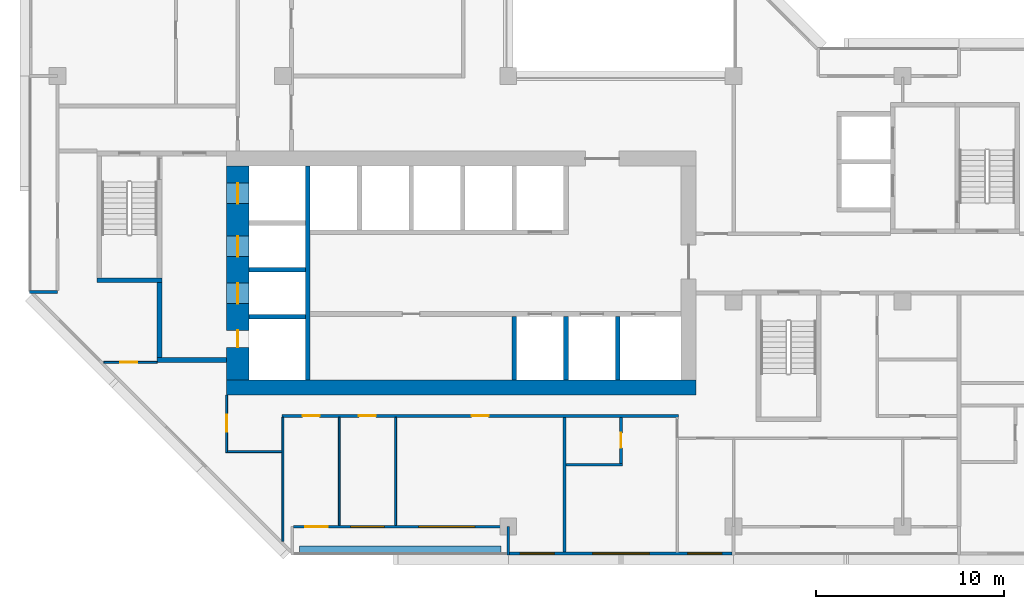
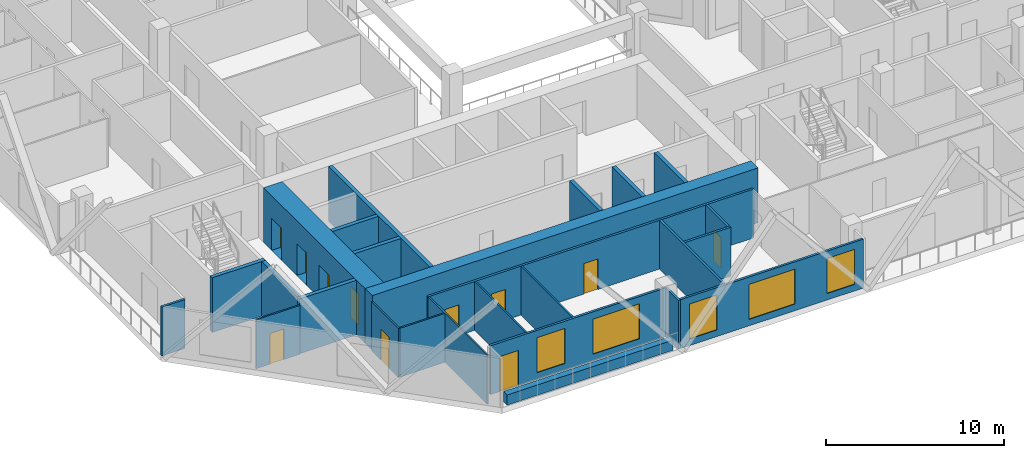
# One storey, part 4 of 14: 26 walls, 11 doors, 5 windows, 16 openings.
"""IFC4 building model written with IfcOpenShell, lengths in metres."""

from ifc_helpers import new_model, si_unit, direction, frame, frame_2d, origin, place, context, subcontext, project, spatial, rectangle, extrude, material, layer, layer_set, type_object, element, fill, save


model = new_model("IFC4")

# Units and contexts
model_context = context("Model", 3, precision=1e-05, world=origin(), true_north=direction((0.0, 1.0)))
body_context = subcontext(model_context, "Body", "Model", "MODEL_VIEW")
ifc_project = project(units=[si_unit("LENGTHUNIT", "METRE"), si_unit("AREAUNIT", "SQUARE_METRE"), si_unit("VOLUMEUNIT", "CUBIC_METRE"), si_unit("PLANEANGLEUNIT", "RADIAN"), si_unit("MASSUNIT", "GRAM", prefix="KILO")], contexts=[model_context])

# Site, building, storey
site_placement = place(None, origin())
site = spatial("IfcSite", under=ifc_project, at=site_placement, CompositionType="ELEMENT")
building_placement = place(site_placement, origin())
building = spatial("IfcBuilding", under=site, at=building_placement, Name="Chenar Terraces", CompositionType="ELEMENT")
storey_placement = place(building_placement, frame((0.0, 0.0, 164.89990234375)))
storey = spatial("IfcBuildingStorey", under=building, at=storey_placement, Name="L37", CompositionType="ELEMENT", Elevation=164.89990234375)

# Wall, openings, doors
ifc_material_1 = material(Name="Concrete C60/75", Category="concrete")
ifc_layer_1 = layer(ifc_material_1, 1.199951171875)
ifc_layer_set_1 = layer_set([ifc_layer_1], Name="Concrete C60/75")
wall_type_1 = type_object("IfcWallType", Name="Core wall 1200 Concrete C60/75", PredefinedType="SHEAR", material=ifc_layer_set_1)
wall_1_placement = place(storey_placement, frame((9.60009765625, 7.800048828125, 0.0), z_axis=(0.0, 0.0, 1.0), x_axis=(0.0, 1.0, 0.0)))
wall_1 = element("IfcWall", 1, at=wall_1_placement, inside=storey, type_object=wall_type_1, Name="Core wall W L37", PredefinedType="SHEAR", context=body_context, shape_type="SweptSolid", body=[
    extrude(rectangle(XDim=11.39990234375, YDim=1.199951171875, at=frame_2d((5.699951171875, 0.0))), origin(), (0.0, 0.0, 1.0), 3.75),
])
opening_1_placement = place(wall_1_placement, frame((4.074951171875, 0.0, 0.0)))
opening_1 = element("IfcOpeningElement", 2, at=opening_1_placement, cuts=wall_1, Name="Opening DL37-LD5", PredefinedType="OPENING", context=body_context, shape_type="SweptSolid", body=[
    extrude(rectangle(XDim=1.10009765625, YDim=2.199951171875, at=frame_2d((0.550048828125, 1.10009765625))), frame((0.0, 0.60986328125, 0.0), z_axis=(0.0, -1.0, 0.0), x_axis=(1.0, 0.0, 0.0)), (0.0, 0.0, 1.0), 1.219970703125),
])
opening_2_placement = place(wall_1_placement, frame((6.574951171875, 0.0, 0.0)))
opening_2 = element("IfcOpeningElement", 3, at=opening_2_placement, cuts=wall_1, Name="Opening DL37-LD6", PredefinedType="OPENING", context=body_context, shape_type="SweptSolid", body=[
    extrude(rectangle(XDim=1.10009765625, YDim=2.199951171875, at=frame_2d((0.550048828125, 1.10009765625))), frame((0.0, 0.60986328125, 0.0), z_axis=(0.0, -1.0, 0.0), x_axis=(1.0, 0.0, 0.0)), (0.0, 0.0, 1.0), 1.219970703125),
])
opening_3_placement = place(wall_1_placement, frame((9.39990234375, 0.0, 0.0)))
opening_3 = element("IfcOpeningElement", 4, at=opening_3_placement, cuts=wall_1, Name="Opening DL37-LD7", PredefinedType="OPENING", context=body_context, shape_type="SweptSolid", body=[
    extrude(rectangle(XDim=1.10009765625, YDim=2.199951171875, at=frame_2d((0.550048828125, 1.10009765625))), frame((0.0, 0.60986328125, 0.0), z_axis=(0.0, -1.0, 0.0), x_axis=(1.0, 0.0, 0.0)), (0.0, 0.0, 1.0), 1.219970703125),
])
opening_4_placement = place(wall_1_placement, frame((1.75, 0.0, 0.0)))
opening_4 = element("IfcOpeningElement", 5, at=opening_4_placement, cuts=wall_1, Name="Opening DL37-C4", PredefinedType="OPENING", context=body_context, shape_type="SweptSolid", body=[
    extrude(rectangle(XDim=0.89990234375, YDim=2.10009765625, at=frame_2d((0.449951171875, 1.050048828125))), frame((0.0, 0.60986328125, 0.0), z_axis=(0.0, -1.0, 0.0), x_axis=(1.0, 0.0, 0.0)), (0.0, 0.0, 1.0), 1.219970703125),
])
ifc_material_2 = material(Name="Stainless steel", Category="steel")
door_type_1 = type_object("IfcDoorType", Name="Lift landing door 1100 x 2200 sliding", OperationType="DOUBLE_DOOR_SLIDING", PredefinedType="DOOR", material=ifc_material_2)
door_1_placement = place(opening_1_placement, origin())
door_1 = element("IfcDoor", 6, at=door_1_placement, inside=storey, type_object=door_type_1, Name="Landing door S1", OperationType="DOUBLE_DOOR_SLIDING", OverallHeight=2.199951171875, OverallWidth=1.10009765625, PredefinedType="DOOR", context=body_context, shape_type="SweptSolid", body=[
    extrude(rectangle(XDim=1.10009765625, YDim=2.199951171875, at=frame_2d((0.550048828125, 1.10009765625))), frame((0.0, 0.02490234375, 0.0), z_axis=(0.0, -1.0, 0.0), x_axis=(1.0, 0.0, 0.0)), (0.0, 0.0, 1.0), 0.050048828125),
])
fill(opening_1, door_1)
door_2_placement = place(opening_2_placement, origin())
door_2 = element("IfcDoor", 7, at=door_2_placement, inside=storey, type_object=door_type_1, Name="Landing door F1", OperationType="DOUBLE_DOOR_SLIDING", OverallHeight=2.199951171875, OverallWidth=1.10009765625, PredefinedType="DOOR", context=body_context, shape_type="SweptSolid", body=[
    extrude(rectangle(XDim=1.10009765625, YDim=2.199951171875, at=frame_2d((0.550048828125, 1.10009765625))), frame((0.0, 0.02490234375, 0.0), z_axis=(0.0, -1.0, 0.0), x_axis=(1.0, 0.0, 0.0)), (0.0, 0.0, 1.0), 0.050048828125),
])
fill(opening_2, door_2)
door_3_placement = place(opening_3_placement, origin())
door_3 = element("IfcDoor", 8, at=door_3_placement, inside=storey, type_object=door_type_1, Name="Landing door F2", OperationType="DOUBLE_DOOR_SLIDING", OverallHeight=2.199951171875, OverallWidth=1.10009765625, PredefinedType="DOOR", context=body_context, shape_type="SweptSolid", body=[
    extrude(rectangle(XDim=1.10009765625, YDim=2.199951171875, at=frame_2d((0.550048828125, 1.10009765625))), frame((0.0, 0.02490234375, 0.0), z_axis=(0.0, -1.0, 0.0), x_axis=(1.0, 0.0, 0.0)), (0.0, 0.0, 1.0), 0.050048828125),
])
fill(opening_3, door_3)
ifc_material_3 = material(Name="Steel-framed fire-resisting door leaf", Category="steel")
door_type_2 = type_object("IfcDoorType", Name="Riser fire door FD60 900 x 2100", OperationType="SINGLE_SWING_LEFT", PredefinedType="DOOR", material=ifc_material_3)
door_4_placement = place(opening_4_placement, frame((0.89990234375, 0.0, 0.0), z_axis=(0.0, 0.0, 1.0), x_axis=(-1.0, 0.0, 0.0)))
door_4 = element("IfcDoor", 9, at=door_4_placement, inside=storey, type_object=door_type_2, Name="Riser door DL37-C4", OperationType="SINGLE_SWING_LEFT", OverallHeight=2.10009765625, OverallWidth=0.89990234375, PredefinedType="DOOR", context=body_context, shape_type="SweptSolid", body=[
    extrude(rectangle(XDim=0.89990234375, YDim=2.10009765625, at=frame_2d((0.449951171875, 1.050048828125))), frame((0.0, 0.02490234375, 0.0), z_axis=(0.0, -1.0, 0.0), x_axis=(1.0, 0.0, 0.0)), (0.0, 0.0, 1.0), 0.050048828125),
])
fill(opening_4, door_4)

# Walls
ifc_material_4 = material(Name="Concrete C60/75", Category="concrete")
ifc_layer_2 = layer(ifc_material_4, 0.25)
ifc_layer_set_2 = layer_set([ifc_layer_2], Name="Concrete C60/75")
wall_type_2 = type_object("IfcWallType", Name="Core wall 250 Concrete C60/75", PredefinedType="SHEAR", material=ifc_layer_set_2)
wall_2_placement = place(storey_placement, frame((13.324951171875, 7.800048828125, 0.0), z_axis=(0.0, 0.0, 1.0), x_axis=(0.0, 1.0, 0.0)))
element("IfcWall", 10, at=wall_2_placement, inside=storey, type_object=wall_type_2, Name="Core wall WI L37", PredefinedType="SHEAR", context=body_context, shape_type="SweptSolid", body=[
    extrude(rectangle(XDim=11.39990234375, YDim=0.25, at=frame_2d((5.699951171875, 0.0))), origin(), (0.0, 0.0, 1.0), 3.75),
])
for number, where, z_axis, x_axis, name in (
    (11, (10.199951171875, 11.175048828125, 0.0), (0.0, 0.0, 1.0), (1.0, 0.0, 0.0), "Core wall HW0 L37"),
    (12, (10.199951171875, 13.675048828125, 0.0), (0.0, 0.0, 1.0), (1.0, 0.0, 0.0), "Core wall HW1 L37"),
):
    element("IfcWall", number, at=place(storey_placement, frame(where, z_axis=z_axis, x_axis=x_axis)), inside=storey, type_object=wall_type_2, Name=name, PredefinedType="SHEAR", context=body_context, shape_type="SweptSolid", body=[
        extrude(rectangle(XDim=3.0, YDim=0.25, at=frame_2d((1.5, 0.0))), origin(), (0.0, 0.0, 1.0), 3.75),
    ])
for number, where, z_axis, x_axis, name in (
    (13, (24.324951171875, 7.800048828125, 0.0), (0.0, 0.0, 1.0), (0.0, 1.0, 0.0), "Core wall SS3 L37"),
    (14, (27.074951171875, 7.800048828125, 0.0), (0.0, 0.0, 1.0), (0.0, 1.0, 0.0), "Core wall SS4 L37"),
    (15, (29.824951171875, 7.800048828125, 0.0), (0.0, 0.0, 1.0), (0.0, 1.0, 0.0), "Core wall SS5 L37"),
):
    element("IfcWall", number, at=place(storey_placement, frame(where, z_axis=z_axis, x_axis=x_axis)), inside=storey, type_object=wall_type_2, Name=name, PredefinedType="SHEAR", context=body_context, shape_type="SweptSolid", body=[
        extrude(rectangle(XDim=3.39990234375, YDim=0.25, at=frame_2d((1.699951171875, 0.0))), origin(), (0.0, 0.0, 1.0), 3.75),
    ])
wall_3_placement = place(storey_placement, frame((2.10009765625, 13.125, 0.0), z_axis=(0.0, 0.0, 1.0), x_axis=(1.0, 0.0, 0.0)))
element("IfcWall", 16, at=wall_3_placement, inside=storey, type_object=wall_type_2, Name="Core wall ST1_S L37", PredefinedType="SHEAR", context=body_context, shape_type="SweptSolid", body=[
    extrude(rectangle(XDim=3.449951171875, YDim=0.25, at=frame_2d((1.72509765625, 0.0))), origin(), (0.0, 0.0, 1.0), 3.75),
])
wall_4_placement = place(storey_placement, frame((5.300048828125, 8.875, 0.0), z_axis=(0.0, 0.0, 1.0), x_axis=(1.0, 0.0, 0.0)))
element("IfcWall", 17, at=wall_4_placement, inside=storey, type_object=wall_type_2, Name="Core wall FFL_S L37", PredefinedType="SHEAR", context=body_context, shape_type="SweptSolid", body=[
    extrude(rectangle(XDim=3.699951171875, YDim=0.25, at=frame_2d((1.85009765625, 0.0))), origin(), (0.0, 0.0, 1.0), 3.75),
])
wall_5_placement = place(storey_placement, frame((5.425048828125, 9.0, 0.0), z_axis=(0.0, 0.0, 1.0), x_axis=(0.0, 1.0, 0.0)))
element("IfcWall", 18, at=wall_5_placement, inside=storey, type_object=wall_type_2, Name="Core wall FFL_W L37", PredefinedType="SHEAR", context=body_context, shape_type="SweptSolid", body=[
    extrude(rectangle(XDim=4.0, YDim=0.25, at=frame_2d((2.0, 0.0))), origin(), (0.0, 0.0, 1.0), 3.75),
])
ifc_material_5 = material(Name="Concrete C60/75", Category="concrete")
ifc_layer_3 = layer(ifc_material_5, 0.800048828125)
ifc_layer_set_3 = layer_set([ifc_layer_3], Name="Concrete C60/75")
wall_type_3 = type_object("IfcWallType", Name="Core wall 800 Concrete C60/75", PredefinedType="SHEAR", material=ifc_layer_set_3)
wall_6_placement = place(storey_placement, frame((9.0, 7.39990234375, 0.0), z_axis=(0.0, 0.0, 1.0), x_axis=(1.0, 0.0, 0.0)))
element("IfcWall", 19, at=wall_6_placement, inside=storey, type_object=wall_type_3, Name="Core wall S L37", PredefinedType="SHEAR", context=body_context, shape_type="SweptSolid", body=[
    extrude(rectangle(XDim=25.0, YDim=0.800048828125, at=frame_2d((12.5, 0.0))), origin(), (0.0, 0.0, 1.0), 3.75),
])

# Wall, openings, windows
ifc_material_6 = material(Name="Aluminium framed glazing", Category="aluminium")
ifc_layer_4 = layer(ifc_material_6, 0.14990234375)
ifc_layer_set_4 = layer_set([ifc_layer_4], Name="Aluminium framed glazing")
wall_type_4 = type_object("IfcWallType", Name="Glazed flush facade wall 150", PredefinedType="SOLIDWALL", material=ifc_layer_set_4)
wall_7_placement = place(storey_placement, frame((24.074951171875, -1.425048828125, 0.0), z_axis=(0.0, 0.0, 1.0), x_axis=(1.0, 0.0, 0.0)))
wall_7 = element("IfcWall", 20, at=wall_7_placement, inside=storey, type_object=wall_type_4, Name="Glazed flush facade wall", PredefinedType="SOLIDWALL", context=body_context, shape_type="SweptSolid", body=[
    extrude(rectangle(XDim=11.85009765625, YDim=0.14990234375, at=frame_2d((5.925048828125, 0.0))), origin(), (0.0, 0.0, 1.0), 3.35009765625),
])
opening_5_placement = place(wall_7_placement, frame((0.5625, 0.0, 0.449951171875)))
opening_5 = element("IfcOpeningElement", 21, at=opening_5_placement, cuts=wall_7, Name="Opening W180x240", PredefinedType="OPENING", context=body_context, shape_type="SweptSolid", body=[
    extrude(rectangle(XDim=1.800048828125, YDim=2.39990234375, at=frame_2d((0.89990234375, 1.199951171875))), frame((0.0, 0.0849609375, 0.0), z_axis=(0.0, -1.0, 0.0), x_axis=(1.0, 0.0, 0.0)), (0.0, 0.0, 1.0), 0.169921875),
])
opening_6_placement = place(wall_7_placement, frame((4.425048828125, 0.0, 0.449951171875)))
opening_6 = element("IfcOpeningElement", 22, at=opening_6_placement, cuts=wall_7, Name="Opening W300x240", PredefinedType="OPENING", context=body_context, shape_type="SweptSolid", body=[
    extrude(rectangle(XDim=3.0, YDim=2.39990234375, at=frame_2d((1.5, 1.199951171875))), frame((0.0, 0.0849609375, 0.0), z_axis=(0.0, -1.0, 0.0), x_axis=(1.0, 0.0, 0.0)), (0.0, 0.0, 1.0), 0.169921875),
])
opening_7_placement = place(wall_7_placement, frame((9.487548828125, 0.0, 0.449951171875)))
opening_7 = element("IfcOpeningElement", 23, at=opening_7_placement, cuts=wall_7, Name="Opening W180x240", PredefinedType="OPENING", context=body_context, shape_type="SweptSolid", body=[
    extrude(rectangle(XDim=1.800048828125, YDim=2.39990234375, at=frame_2d((0.89990234375, 1.199951171875))), frame((0.0, 0.0849609375, 0.0), z_axis=(0.0, -1.0, 0.0), x_axis=(1.0, 0.0, 0.0)), (0.0, 0.0, 1.0), 0.169921875),
])
ifc_material_7 = material(Name="Low emissivity double glazing, aluminium frame", Category="aluminium")
window_type_1 = type_object("IfcWindowType", Name="Fixed light 1800 x 2400", PartitioningType="SINGLE_PANEL", PredefinedType="WINDOW", material=ifc_material_7)
window_1_placement = place(opening_5_placement, origin())
window_1 = element("IfcWindow", 24, at=window_1_placement, inside=storey, type_object=window_type_1, Name="Window", OverallHeight=2.39990234375, OverallWidth=1.800048828125, PartitioningType="SINGLE_PANEL", PredefinedType="WINDOW", context=body_context, shape_type="SweptSolid", body=[
    extrude(rectangle(XDim=1.800048828125, YDim=2.39990234375, at=frame_2d((0.89990234375, 1.199951171875))), frame((0.0, 0.030029296875, 0.0), z_axis=(0.0, -1.0, 0.0), x_axis=(1.0, 0.0, 0.0)), (0.0, 0.0, 1.0), 0.06005859375),
])
fill(opening_5, window_1)
window_2_placement = place(opening_7_placement, origin())
window_2 = element("IfcWindow", 25, at=window_2_placement, inside=storey, type_object=window_type_1, Name="Window", OverallHeight=2.39990234375, OverallWidth=1.800048828125, PartitioningType="SINGLE_PANEL", PredefinedType="WINDOW", context=body_context, shape_type="SweptSolid", body=[
    extrude(rectangle(XDim=1.800048828125, YDim=2.39990234375, at=frame_2d((0.89990234375, 1.199951171875))), frame((0.0, 0.030029296875, 0.0), z_axis=(0.0, -1.0, 0.0), x_axis=(1.0, 0.0, 0.0)), (0.0, 0.0, 1.0), 0.06005859375),
])
fill(opening_7, window_2)
ifc_material_8 = material(Name="Low emissivity double glazing, aluminium frame", Category="aluminium")
window_type_2 = type_object("IfcWindowType", Name="Fixed light 3000 x 2400", PartitioningType="SINGLE_PANEL", PredefinedType="WINDOW", material=ifc_material_8)
window_3_placement = place(opening_6_placement, origin())
window_3 = element("IfcWindow", 26, at=window_3_placement, inside=storey, type_object=window_type_2, Name="Window", OverallHeight=2.39990234375, OverallWidth=3.0, PartitioningType="SINGLE_PANEL", PredefinedType="WINDOW", context=body_context, shape_type="SweptSolid", body=[
    extrude(rectangle(XDim=3.0, YDim=2.39990234375, at=frame_2d((1.5, 1.199951171875))), frame((0.0, 0.030029296875, 0.0), z_axis=(0.0, -1.0, 0.0), x_axis=(1.0, 0.0, 0.0)), (0.0, 0.0, 1.0), 0.06005859375),
])
fill(opening_6, window_3)

# Wall, openings, windows, door
ifc_material_9 = material(Name="Aluminium framed glazing", Category="aluminium")
ifc_layer_5 = layer(ifc_material_9, 0.14990234375)
ifc_layer_set_5 = layer_set([ifc_layer_5], Name="Aluminium framed glazing")
wall_type_5 = type_object("IfcWallType", Name="Glazed loggia back wall 150", PredefinedType="SOLIDWALL", material=ifc_layer_set_5)
wall_8_placement = place(storey_placement, frame((12.574951171875, 0.0, 0.0), z_axis=(0.0, 0.0, 1.0), x_axis=(1.0, 0.0, 0.0)))
wall_8 = element("IfcWall", 27, at=wall_8_placement, inside=storey, type_object=wall_type_5, Name="Glazed loggia back wall", PredefinedType="SOLIDWALL", context=body_context, shape_type="SweptSolid", body=[
    extrude(rectangle(XDim=11.35009765625, YDim=0.14990234375, at=frame_2d((5.675048828125, 0.0))), origin(), (0.0, 0.0, 1.0), 3.35009765625),
])
opening_8_placement = place(wall_8_placement, frame((0.612548828125, 0.0, 0.0)))
opening_8 = element("IfcOpeningElement", 28, at=opening_8_placement, cuts=wall_8, Name="Opening DL37-G5", PredefinedType="OPENING", context=body_context, shape_type="SweptSolid", body=[
    extrude(rectangle(XDim=1.199951171875, YDim=2.39990234375, at=frame_2d((0.60009765625, 1.199951171875))), frame((0.0, 0.0849609375, 0.0), z_axis=(0.0, -1.0, 0.0), x_axis=(1.0, 0.0, 0.0)), (0.0, 0.0, 1.0), 0.169921875),
])
opening_9_placement = place(wall_8_placement, frame((3.02490234375, 0.0, 0.449951171875)))
opening_9 = element("IfcOpeningElement", 29, at=opening_9_placement, cuts=wall_8, Name="Opening W180x240", PredefinedType="OPENING", context=body_context, shape_type="SweptSolid", body=[
    extrude(rectangle(XDim=1.800048828125, YDim=2.39990234375, at=frame_2d((0.89990234375, 1.199951171875))), frame((0.0, 0.0849609375, 0.0), z_axis=(0.0, -1.0, 0.0), x_axis=(1.0, 0.0, 0.0)), (0.0, 0.0, 1.0), 0.169921875),
])
opening_10_placement = place(wall_8_placement, frame((6.64990234375, 0.0, 0.449951171875)))
opening_10 = element("IfcOpeningElement", 30, at=opening_10_placement, cuts=wall_8, Name="Opening W300x240", PredefinedType="OPENING", context=body_context, shape_type="SweptSolid", body=[
    extrude(rectangle(XDim=3.0, YDim=2.39990234375, at=frame_2d((1.5, 1.199951171875))), frame((0.0, 0.0849609375, 0.0), z_axis=(0.0, -1.0, 0.0), x_axis=(1.0, 0.0, 0.0)), (0.0, 0.0, 1.0), 0.169921875),
])
window_4_placement = place(opening_9_placement, origin())
window_4 = element("IfcWindow", 31, at=window_4_placement, inside=storey, type_object=window_type_1, Name="Window", OverallHeight=2.39990234375, OverallWidth=1.800048828125, PartitioningType="SINGLE_PANEL", PredefinedType="WINDOW", context=body_context, shape_type="SweptSolid", body=[
    extrude(rectangle(XDim=1.800048828125, YDim=2.39990234375, at=frame_2d((0.89990234375, 1.199951171875))), frame((0.0, 0.030029296875, 0.0), z_axis=(0.0, -1.0, 0.0), x_axis=(1.0, 0.0, 0.0)), (0.0, 0.0, 1.0), 0.06005859375),
])
fill(opening_9, window_4)
window_5_placement = place(opening_10_placement, origin())
window_5 = element("IfcWindow", 32, at=window_5_placement, inside=storey, type_object=window_type_2, Name="Window", OverallHeight=2.39990234375, OverallWidth=3.0, PartitioningType="SINGLE_PANEL", PredefinedType="WINDOW", context=body_context, shape_type="SweptSolid", body=[
    extrude(rectangle(XDim=3.0, YDim=2.39990234375, at=frame_2d((1.5, 1.199951171875))), frame((0.0, 0.030029296875, 0.0), z_axis=(0.0, -1.0, 0.0), x_axis=(1.0, 0.0, 0.0)), (0.0, 0.0, 1.0), 0.06005859375),
])
fill(opening_10, window_5)
ifc_material_10 = material(Name="Low emissivity double glazing, aluminium frame", Category="aluminium")
door_type_3 = type_object("IfcDoorType", Name="Loggia glazed double door 1200 x 2400", OperationType="DOUBLE_DOOR_SINGLE_SWING", PredefinedType="DOOR", material=ifc_material_10)
door_5_placement = place(opening_8_placement, frame((1.199951171875, 0.0, 0.0), z_axis=(0.0, 0.0, 1.0), x_axis=(-1.0, 0.0, 0.0)))
door_5 = element("IfcDoor", 33, at=door_5_placement, inside=storey, type_object=door_type_3, Name="Loggia glazed door", OperationType="DOUBLE_DOOR_SINGLE_SWING", OverallHeight=2.39990234375, OverallWidth=1.199951171875, PredefinedType="DOOR", context=body_context, shape_type="SweptSolid", body=[
    extrude(rectangle(XDim=1.199951171875, YDim=2.39990234375, at=frame_2d((0.60009765625, 1.199951171875))), frame((0.0, 0.02490234375, 0.0), z_axis=(0.0, -1.0, 0.0), x_axis=(1.0, 0.0, 0.0)), (0.0, 0.0, 1.0), 0.050048828125),
])
fill(opening_8, door_5)

# Wall, opening, door
ifc_material_11 = material(Name="Gypsum board on steel studs", Category="steel")
ifc_layer_6 = layer(ifc_material_11, 0.10009765625)
ifc_layer_set_6 = layer_set([ifc_layer_6], Name="Gypsum board on steel studs")
wall_type_6 = type_object("IfcWallType", Name="Gypsum partition 100", PredefinedType="PARTITIONING", material=ifc_layer_set_6)
wall_9_placement = place(storey_placement, frame((2.4609375, 8.75, 0.0), z_axis=(0.0, 0.0, 1.0), x_axis=(1.0, 0.0, 0.0)))
wall_9 = element("IfcWall", 34, at=wall_9_placement, inside=storey, type_object=wall_type_6, Name="Partition L37-012", PredefinedType="PARTITIONING", context=body_context, shape_type="SweptSolid", body=[
    extrude(rectangle(XDim=2.839111328125, YDim=0.10009765625, at=frame_2d((1.41943359375, 0.0))), origin(), (0.0, 0.0, 1.0), 3.35009765625),
])
opening_11_placement = place(wall_9_placement, frame((0.888916015625, 0.0, 0.0)))
opening_11 = element("IfcOpeningElement", 35, at=opening_11_placement, cuts=wall_9, Name="Opening DL37-51", PredefinedType="OPENING", context=body_context, shape_type="SweptSolid", body=[
    extrude(rectangle(XDim=0.89990234375, YDim=2.10009765625, at=frame_2d((0.449951171875, 1.050048828125))), frame((0.0, 0.06005859375, 0.0), z_axis=(0.0, -1.0, 0.0), x_axis=(1.0, 0.0, 0.0)), (0.0, 0.0, 1.0), 0.1201171875),
])
ifc_material_12 = material(Name="Veneered timber door leaf", Category="wood")
door_type_4 = type_object("IfcDoorType", Name="Door 900 x 2100", OperationType="SINGLE_SWING_LEFT", PredefinedType="DOOR", material=ifc_material_12)
door_6_placement = place(opening_11_placement, frame((0.89990234375, 0.0, 0.0), z_axis=(0.0, 0.0, 1.0), x_axis=(-1.0, 0.0, 0.0)))
door_6 = element("IfcDoor", 36, at=door_6_placement, inside=storey, type_object=door_type_4, Name="Door DL37-51", OperationType="SINGLE_SWING_RIGHT", OverallHeight=2.10009765625, OverallWidth=0.89990234375, PredefinedType="DOOR", context=body_context, shape_type="SweptSolid", body=[
    extrude(rectangle(XDim=0.89990234375, YDim=2.10009765625, at=frame_2d((0.449951171875, 1.050048828125))), frame((0.0, 0.02490234375, 0.0), z_axis=(0.0, -1.0, 0.0), x_axis=(1.0, 0.0, 0.0)), (0.0, 0.0, 1.0), 0.050048828125),
])
fill(opening_11, door_6)

wall_10_placement = place(storey_placement, frame((9.0, 3.949951171875, 0.0), z_axis=(0.0, 0.0, 1.0), x_axis=(0.0, 1.0, 0.0)))
wall_10 = element("IfcWall", 37, at=wall_10_placement, inside=storey, type_object=wall_type_6, Name="Partition L37-026", PredefinedType="PARTITIONING", context=body_context, shape_type="SweptSolid", body=[
    extrude(rectangle(XDim=3.050048828125, YDim=0.10009765625, at=frame_2d((1.52490234375, 0.0))), origin(), (0.0, 0.0, 1.0), 3.35009765625),
])
opening_12_placement = place(wall_10_placement, frame((1.10009765625, 0.0, 0.0)))
opening_12 = element("IfcOpeningElement", 38, at=opening_12_placement, cuts=wall_10, Name="Opening DL37-50", PredefinedType="OPENING", context=body_context, shape_type="SweptSolid", body=[
    extrude(rectangle(XDim=0.89990234375, YDim=2.10009765625, at=frame_2d((0.449951171875, 1.050048828125))), frame((0.0, 0.06005859375, 0.0), z_axis=(0.0, -1.0, 0.0), x_axis=(1.0, 0.0, 0.0)), (0.0, 0.0, 1.0), 0.1201171875),
])
door_7_placement = place(opening_12_placement, origin())
door_7 = element("IfcDoor", 39, at=door_7_placement, inside=storey, type_object=door_type_4, Name="Door DL37-50", OperationType="SINGLE_SWING_LEFT", OverallHeight=2.10009765625, OverallWidth=0.89990234375, PredefinedType="DOOR", context=body_context, shape_type="SweptSolid", body=[
    extrude(rectangle(XDim=0.89990234375, YDim=2.10009765625, at=frame_2d((0.449951171875, 1.050048828125))), frame((0.0, 0.02490234375, 0.0), z_axis=(0.0, -1.0, 0.0), x_axis=(1.0, 0.0, 0.0)), (0.0, 0.0, 1.0), 0.050048828125),
])
fill(opening_12, door_7)

# Walls
wall_11_placement = place(storey_placement, frame((9.050048828125, 4.0, 0.0), z_axis=(0.0, 0.0, 1.0), x_axis=(1.0, 0.0, 0.0)))
element("IfcWall", 40, at=wall_11_placement, inside=storey, type_object=wall_type_6, Name="Partition L37-027", PredefinedType="PARTITIONING", context=body_context, shape_type="SweptSolid", body=[
    extrude(rectangle(XDim=2.89990234375, YDim=0.10009765625, at=frame_2d((1.449951171875, 0.0))), origin(), (0.0, 0.0, 1.0), 3.35009765625),
])
wall_12_placement = place(storey_placement, frame((12.0, -0.787841796875, 0.0), z_axis=(0.0, 0.0, 1.0), x_axis=(0.0, 1.0, 0.0)))
element("IfcWall", 41, at=wall_12_placement, inside=storey, type_object=wall_type_6, Name="Partition L37-030", PredefinedType="PARTITIONING", context=body_context, shape_type="SweptSolid", body=[
    extrude(rectangle(XDim=6.61279296875, YDim=0.10009765625, at=frame_2d((3.306396484375, 0.0))), origin(), (0.0, 0.0, 1.0), 3.35009765625),
])
for number, where, z_axis, x_axis, name in (
    (42, (15.0, 0.073974609375, 0.0), (0.0, 0.0, 1.0), (0.0, 1.0, 0.0), "Partition L37-041"),
    (43, (18.0, 0.073974609375, 0.0), (0.0, 0.0, 1.0), (0.0, 1.0, 0.0), "Partition L37-046"),
):
    element("IfcWall", number, at=place(storey_placement, frame(where, z_axis=z_axis, x_axis=x_axis)), inside=storey, type_object=wall_type_6, Name=name, PredefinedType="PARTITIONING", context=body_context, shape_type="SweptSolid", body=[
        extrude(rectangle(XDim=5.7509765625, YDim=0.10009765625, at=frame_2d((2.87548828125, 0.0))), origin(), (0.0, 0.0, 1.0), 3.35009765625),
    ])
ifc_material_13 = material(Name="Terracotta cladding on insulated backing", Category="masonry")
ifc_layer_7 = layer(ifc_material_13, 0.14990234375)
ifc_layer_set_7 = layer_set([ifc_layer_7], Name="Terracotta cladding on insulated backing")
wall_type_7 = type_object("IfcWallType", Name="Loggia return wall 150", PredefinedType="SOLIDWALL", material=ifc_layer_set_7)
for number, where, z_axis, x_axis, name in (
    (44, (-1.5, 12.5, 0.0), (0.0, 0.0, 1.0), (1.0, 0.0, 0.0), "Loggia return wall"),
    (45, (24.0, -1.5, 0.0), (0.0, 0.0, 1.0), (0.0, 1.0, 0.0), "Loggia return wall"),
):
    element("IfcWall", number, at=place(storey_placement, frame(where, z_axis=z_axis, x_axis=x_axis)), inside=storey, type_object=wall_type_7, Name=name, PredefinedType="SOLIDWALL", context=body_context, shape_type="SweptSolid", body=[
        extrude(rectangle(XDim=1.5, YDim=0.14990234375, at=frame_2d((0.75, 0.0))), origin(), (0.0, 0.0, 1.0), 3.35009765625),
    ])
ifc_material_14 = material(Name="GRP planter trough")
ifc_layer_8 = layer(ifc_material_14, 0.39990234375)
ifc_layer_set_8 = layer_set([ifc_layer_8], Name="GRP planter trough")
wall_type_8 = type_object("IfcWallType", Name="Vertical greenery planter 400", PredefinedType="SOLIDWALL", material=ifc_layer_set_8)
wall_13_placement = place(storey_placement, frame((12.875, -1.22900390625, 0.0), z_axis=(0.0, 0.0, 1.0), x_axis=(1.0, 0.0, 0.0)))
element("IfcWall", 46, at=wall_13_placement, inside=storey, type_object=wall_type_8, Name="Vertical greenery planter", PredefinedType="SOLIDWALL", context=body_context, shape_type="SweptSolid", body=[
    extrude(rectangle(XDim=10.75, YDim=0.39990234375, at=frame_2d((5.375, 0.0))), origin(), (0.0, 0.0, 1.0), 0.7001953125),
])

# Wall, openings, doors
ifc_material_15 = material(Name="Moisture-resistant gypsum board on steel studs", Category="steel")
ifc_layer_9 = layer(ifc_material_15, 0.14990234375)
ifc_layer_set_9 = layer_set([ifc_layer_9], Name="Moisture-resistant gypsum board on steel studs")
wall_type_9 = type_object("IfcWallType", Name="Wet-room partition 150", PredefinedType="PARTITIONING", material=ifc_layer_set_9)
wall_14_placement = place(storey_placement, frame((11.949951171875, 5.89990234375, 0.0), z_axis=(0.0, 0.0, 1.0), x_axis=(1.0, 0.0, 0.0)))
wall_14 = element("IfcWall", 47, at=wall_14_placement, inside=storey, type_object=wall_type_9, Name="Partition L37-029", PredefinedType="PARTITIONING", context=body_context, shape_type="SweptSolid", body=[
    extrude(rectangle(XDim=21.10009765625, YDim=0.14990234375, at=frame_2d((10.550048828125, 0.0))), origin(), (0.0, 0.0, 1.0), 3.35009765625),
])
opening_13_placement = place(wall_14_placement, frame((1.10009765625, 0.0, 0.0)))
opening_13 = element("IfcOpeningElement", 48, at=opening_13_placement, cuts=wall_14, Name="Opening DL37-46", PredefinedType="OPENING", context=body_context, shape_type="SweptSolid", body=[
    extrude(rectangle(XDim=0.89990234375, YDim=2.10009765625, at=frame_2d((0.449951171875, 1.050048828125))), frame((0.0, 0.0849609375, 0.0), z_axis=(0.0, -1.0, 0.0), x_axis=(1.0, 0.0, 0.0)), (0.0, 0.0, 1.0), 0.169921875),
])
opening_14_placement = place(wall_14_placement, frame((4.10009765625, 0.0, 0.0)))
opening_14 = element("IfcOpeningElement", 49, at=opening_14_placement, cuts=wall_14, Name="Opening DL37-47", PredefinedType="OPENING", context=body_context, shape_type="SweptSolid", body=[
    extrude(rectangle(XDim=0.89990234375, YDim=2.10009765625, at=frame_2d((0.449951171875, 1.050048828125))), frame((0.0, 0.0849609375, 0.0), z_axis=(0.0, -1.0, 0.0), x_axis=(1.0, 0.0, 0.0)), (0.0, 0.0, 1.0), 0.169921875),
])
opening_15_placement = place(wall_14_placement, frame((10.10009765625, 0.0, 0.0)))
opening_15 = element("IfcOpeningElement", 50, at=opening_15_placement, cuts=wall_14, Name="Opening DL37-56", PredefinedType="OPENING", context=body_context, shape_type="SweptSolid", body=[
    extrude(rectangle(XDim=0.89990234375, YDim=2.10009765625, at=frame_2d((0.449951171875, 1.050048828125))), frame((0.0, 0.0849609375, 0.0), z_axis=(0.0, -1.0, 0.0), x_axis=(1.0, 0.0, 0.0)), (0.0, 0.0, 1.0), 0.169921875),
])
door_8_placement = place(opening_13_placement, frame((0.89990234375, 0.0, 0.0), z_axis=(0.0, 0.0, 1.0), x_axis=(-1.0, 0.0, 0.0)))
door_8 = element("IfcDoor", 51, at=door_8_placement, inside=storey, type_object=door_type_4, Name="Door DL37-46", OperationType="SINGLE_SWING_RIGHT", OverallHeight=2.10009765625, OverallWidth=0.89990234375, PredefinedType="DOOR", context=body_context, shape_type="SweptSolid", body=[
    extrude(rectangle(XDim=0.89990234375, YDim=2.10009765625, at=frame_2d((0.449951171875, 1.050048828125))), frame((0.0, 0.02490234375, 0.0), z_axis=(0.0, -1.0, 0.0), x_axis=(1.0, 0.0, 0.0)), (0.0, 0.0, 1.0), 0.050048828125),
])
fill(opening_13, door_8)
door_9_placement = place(opening_14_placement, frame((0.89990234375, 0.0, 0.0), z_axis=(0.0, 0.0, 1.0), x_axis=(-1.0, 0.0, 0.0)))
door_9 = element("IfcDoor", 52, at=door_9_placement, inside=storey, type_object=door_type_4, Name="Door DL37-47", OperationType="SINGLE_SWING_RIGHT", OverallHeight=2.10009765625, OverallWidth=0.89990234375, PredefinedType="DOOR", context=body_context, shape_type="SweptSolid", body=[
    extrude(rectangle(XDim=0.89990234375, YDim=2.10009765625, at=frame_2d((0.449951171875, 1.050048828125))), frame((0.0, 0.02490234375, 0.0), z_axis=(0.0, -1.0, 0.0), x_axis=(1.0, 0.0, 0.0)), (0.0, 0.0, 1.0), 0.050048828125),
])
fill(opening_14, door_9)
door_10_placement = place(opening_15_placement, frame((0.89990234375, 0.0, 0.0), z_axis=(0.0, 0.0, 1.0), x_axis=(-1.0, 0.0, 0.0)))
door_10 = element("IfcDoor", 53, at=door_10_placement, inside=storey, type_object=door_type_4, Name="Door DL37-56", OperationType="SINGLE_SWING_RIGHT", OverallHeight=2.10009765625, OverallWidth=0.89990234375, PredefinedType="DOOR", context=body_context, shape_type="SweptSolid", body=[
    extrude(rectangle(XDim=0.89990234375, YDim=2.10009765625, at=frame_2d((0.449951171875, 1.050048828125))), frame((0.0, 0.02490234375, 0.0), z_axis=(0.0, -1.0, 0.0), x_axis=(1.0, 0.0, 0.0)), (0.0, 0.0, 1.0), 0.050048828125),
])
fill(opening_15, door_10)

# Walls
wall_15_placement = place(storey_placement, frame((27.0, -1.35009765625, 0.0), z_axis=(0.0, 0.0, 1.0), x_axis=(0.0, 1.0, 0.0)))
element("IfcWall", 54, at=wall_15_placement, inside=storey, type_object=wall_type_9, Name="Partition L37-054", PredefinedType="PARTITIONING", context=body_context, shape_type="SweptSolid", body=[
    extrude(rectangle(XDim=7.175048828125, YDim=0.14990234375, at=frame_2d((3.58740234375, 0.0))), origin(), (0.0, 0.0, 1.0), 3.35009765625),
])
wall_16_placement = place(storey_placement, frame((27.074951171875, 3.300048828125, 0.0), z_axis=(0.0, 0.0, 1.0), x_axis=(1.0, 0.0, 0.0)))
element("IfcWall", 55, at=wall_16_placement, inside=storey, type_object=wall_type_9, Name="Partition L37-055", PredefinedType="PARTITIONING", context=body_context, shape_type="SweptSolid", body=[
    extrude(rectangle(XDim=3.0, YDim=0.14990234375, at=frame_2d((1.5, 0.0))), origin(), (0.0, 0.0, 1.0), 3.35009765625),
])

# Wall, opening, door
wall_17_placement = place(storey_placement, frame((30.0, 3.375, 0.0), z_axis=(0.0, 0.0, 1.0), x_axis=(0.0, 1.0, 0.0)))
wall_17 = element("IfcWall", 56, at=wall_17_placement, inside=storey, type_object=wall_type_9, Name="Partition L37-056", PredefinedType="PARTITIONING", context=body_context, shape_type="SweptSolid", body=[
    extrude(rectangle(XDim=2.449951171875, YDim=0.14990234375, at=frame_2d((1.22509765625, 0.0))), origin(), (0.0, 0.0, 1.0), 3.35009765625),
])
opening_16_placement = place(wall_17_placement, frame((0.824951171875, 0.0, 0.0)))
opening_16 = element("IfcOpeningElement", 57, at=opening_16_placement, cuts=wall_17, Name="Opening DL37-53", PredefinedType="OPENING", context=body_context, shape_type="SweptSolid", body=[
    extrude(rectangle(XDim=0.800048828125, YDim=2.10009765625, at=frame_2d((0.39990234375, 1.050048828125))), frame((0.0, 0.0849609375, 0.0), z_axis=(0.0, -1.0, 0.0), x_axis=(1.0, 0.0, 0.0)), (0.0, 0.0, 1.0), 0.169921875),
])
ifc_material_16 = material(Name="Veneered timber door leaf", Category="wood")
door_type_5 = type_object("IfcDoorType", Name="Door 800 x 2100", OperationType="SINGLE_SWING_LEFT", PredefinedType="DOOR", material=ifc_material_16)
door_11_placement = place(opening_16_placement, origin())
door_11 = element("IfcDoor", 58, at=door_11_placement, inside=storey, type_object=door_type_5, Name="Door DL37-53", OperationType="SINGLE_SWING_RIGHT", OverallHeight=2.10009765625, OverallWidth=0.800048828125, PredefinedType="DOOR", context=body_context, shape_type="SweptSolid", body=[
    extrude(rectangle(XDim=0.800048828125, YDim=2.10009765625, at=frame_2d((0.39990234375, 1.050048828125))), frame((0.0, 0.02490234375, 0.0), z_axis=(0.0, -1.0, 0.0), x_axis=(1.0, 0.0, 0.0)), (0.0, 0.0, 1.0), 0.050048828125),
])
fill(opening_16, door_11)

save(model, "model.ifc")
